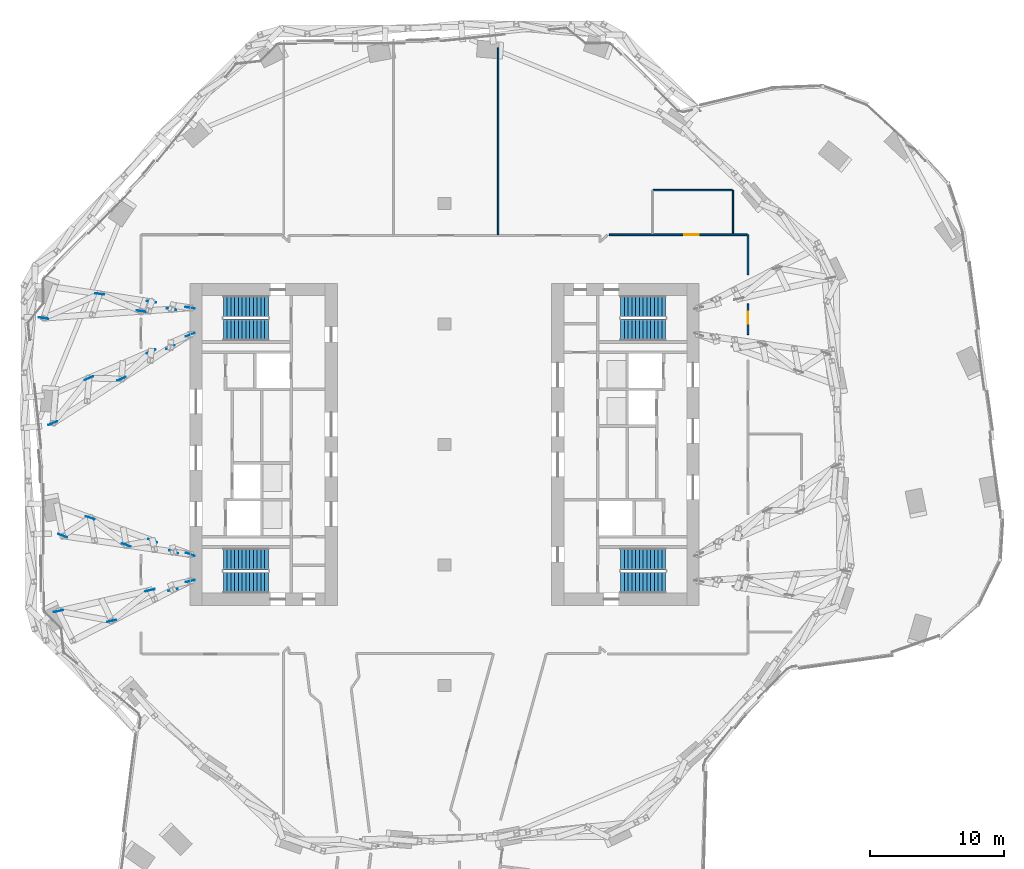
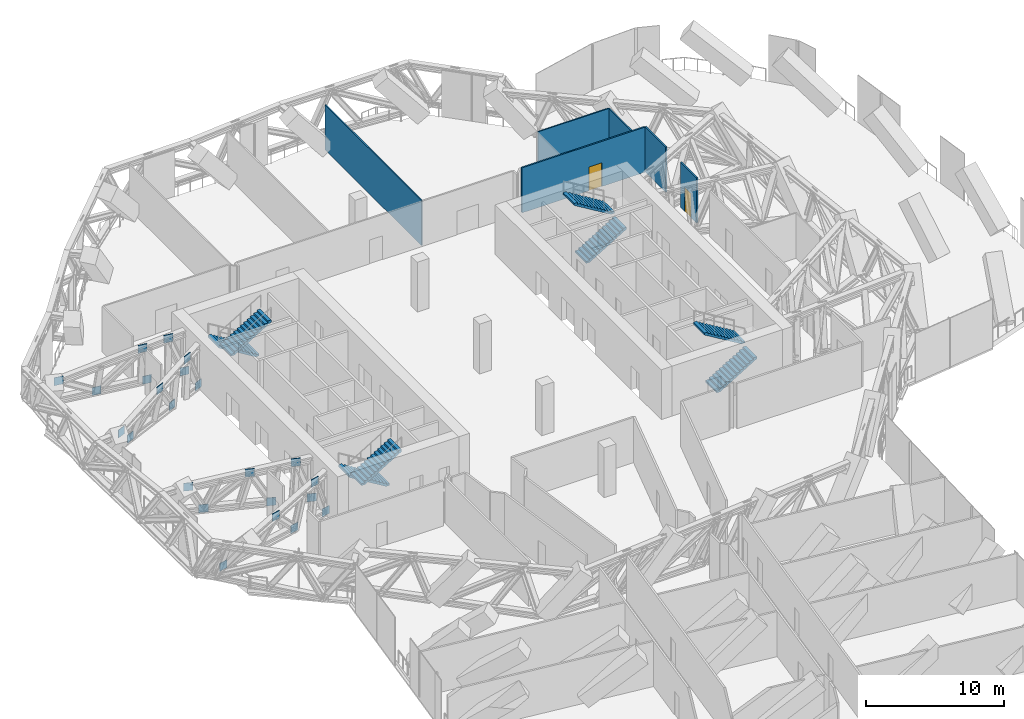
# One storey, part 22 of 27: 8 stair flights, 6 walls, 2 doors, 1 discrete accessory, 2 openings, 4 elements without a shape of their own.
"""IFC4 building model written with IfcOpenShell, lengths in metres."""

from ifc_helpers import new_model, si_unit, direction, frame, frame_2d, origin, origin_2d, place, context, subcontext, project, spatial, polyline, rectangle, outline, extrude, material, layer, layer_set, type_object, element, fill, aggregate, save


model = new_model("IFC4")

# Units and contexts
model_context = context("Model", 3, precision=1e-05, world=origin(), true_north=direction((0.0, 1.0)))
body_context = subcontext(model_context, "Body", "Model", "MODEL_VIEW")
ifc_project = project(units=[si_unit("LENGTHUNIT", "METRE"), si_unit("AREAUNIT", "SQUARE_METRE"), si_unit("VOLUMEUNIT", "CUBIC_METRE"), si_unit("PLANEANGLEUNIT", "RADIAN"), si_unit("MASSUNIT", "GRAM", prefix="KILO")], contexts=[model_context])

# Site, building, storey
site_placement = place(None, origin())
site = spatial("IfcSite", under=ifc_project, at=site_placement, CompositionType="ELEMENT")
building_placement = place(site_placement, origin())
building = spatial("IfcBuilding", under=site, at=building_placement, Name="Orlundy Tower", CompositionType="ELEMENT")
storey_placement = place(building_placement, frame((0.0, 0.0, 206.10009765625)))
storey = spatial("IfcBuildingStorey", under=building, at=storey_placement, Name="L54", CompositionType="ELEMENT", Elevation=206.10009765625)

# Walls
ifc_material_1 = material(Name="Gypsum board partition")
ifc_layer_1 = layer(ifc_material_1, 0.10009765625)
ifc_layer_set_1 = layer_set([ifc_layer_1], Name="Floor partition 100")
wall_type_1 = type_object("IfcWallType", Name="Floor partition 100", PredefinedType="PARTITIONING", material=ifc_layer_set_1)
wall_1_placement = place(storey_placement, frame((15.576904296875, 18.98291015625, 0.0), z_axis=(0.0, 0.0, 1.0), x_axis=(1.0, 0.0, 0.0)))
element("IfcWall", 1, at=wall_1_placement, inside=storey, type_object=wall_type_1, Name="wall-int-L54-033", PredefinedType="PARTITIONING", context=body_context, shape_type="SweptSolid", body=[
    extrude(rectangle(XDim=5.900146484375, YDim=0.10009765625, at=frame_2d((2.9501953125, 0.0))), origin(), (0.0, 0.0, 1.0), 3.97998046875),
])
wall_2_placement = place(storey_placement, frame((21.528076171875, 15.712890625, 0.0), z_axis=(0.0, 0.0, 1.0), x_axis=(0.0, 1.0, 0.0)))
element("IfcWall", 2, at=wall_2_placement, inside=storey, type_object=wall_type_1, Name="wall-int-L54-055", PredefinedType="PARTITIONING", context=body_context, shape_type="SweptSolid", body=[
    extrude(rectangle(XDim=3.26904296875, YDim=0.10009765625, at=frame_2d((1.634521484375, 0.0))), origin(), (0.0, 0.0, 1.0), 3.97998046875),
])
wall_3_placement = place(storey_placement, frame((4.0, 15.6640625, 0.0), z_axis=(0.0, 0.0, 1.0), x_axis=(0.0, 1.0, 0.0)))
element("IfcWall", 3, at=wall_3_placement, inside=storey, type_object=wall_type_1, Name="wall-int-L54-059", PredefinedType="PARTITIONING", context=body_context, shape_type="SweptSolid", body=[
    extrude(rectangle(XDim=13.94384765625, YDim=0.10009765625, at=frame_2d((6.971923828125, 0.0))), origin(), (0.0, 0.0, 1.0), 3.97998046875),
])

# Wall, opening, door
ifc_material_2 = material(Name="Gypsum board partition, double layer")
ifc_layer_2 = layer(ifc_material_2, 0.125)
ifc_layer_set_2 = layer_set([ifc_layer_2], Name="Floor partition 125")
wall_type_2 = type_object("IfcWallType", Name="Floor partition 125", PredefinedType="PARTITIONING", material=ifc_layer_set_2)
wall_4_placement = place(storey_placement, frame((12.31103515625, 15.65087890625, 0.0), z_axis=(0.0, 0.0, 1.0), x_axis=(1.0, 0.0, 0.0)))
wall_4 = element("IfcWall", 4, at=wall_4_placement, inside=storey, type_object=wall_type_2, Name="wall-int-L54-032", PredefinedType="PARTITIONING", context=body_context, shape_type="SweptSolid", body=[
    extrude(rectangle(XDim=10.27587890625, YDim=0.125, at=frame_2d((5.137939453125, 0.0))), origin(), (0.0, 0.0, 1.0), 3.97998046875),
])
opening_1_placement = place(wall_4_placement, frame((5.566162109375, 0.0, 0.0)))
opening_1 = element("IfcOpeningElement", 5, at=opening_1_placement, cuts=wall_4, Name="Opening 41128", PredefinedType="OPENING", context=body_context, shape_type="SweptSolid", body=[
    extrude(rectangle(XDim=1.10009765625, YDim=2.10009765625, at=frame_2d((0.550048828125, 1.050048828125))), frame((0.0, 0.072509765625, 0.0), z_axis=(0.0, -1.0, 0.0), x_axis=(1.0, 0.0, 0.0)), (0.0, 0.0, 1.0), 0.14501953125),
])
ifc_material_3 = material(Name="Timber door leaf", Category="wood")
door_type_1 = type_object("IfcDoorType", Name="Floor door xwide 1100 FD30S", OperationType="NOTDEFINED", PredefinedType="DOOR", material=ifc_material_3)
door_1_placement = place(opening_1_placement, origin())
door_1 = element("IfcDoor", 6, at=door_1_placement, inside=storey, type_object=door_type_1, Name="Door 41128", OperationType="SINGLE_SWING_RIGHT", OverallHeight=2.10009765625, OverallWidth=1.10009765625, PredefinedType="DOOR", context=body_context, shape_type="SweptSolid", body=[
    extrude(rectangle(XDim=1.10009765625, YDim=2.10009765625, at=frame_2d((0.550048828125, 1.050048828125))), frame((0.0, 0.02490234375, 0.0), z_axis=(0.0, -1.0, 0.0), x_axis=(1.0, 0.0, 0.0)), (0.0, 0.0, 1.0), 0.050048828125),
])
fill(opening_1, door_1)

wall_5_placement = place(storey_placement, frame((22.65087890625, 10.493896484375, 0.0), z_axis=(0.0, 0.0, 1.0), x_axis=(0.0, -1.0, 0.0)))
wall_5 = element("IfcWall", 7, at=wall_5_placement, inside=storey, type_object=wall_type_2, Name="wall-int-L54-053", PredefinedType="PARTITIONING", context=body_context, shape_type="SweptSolid", body=[
    extrude(rectangle(XDim=2.296875, YDim=0.125, at=frame_2d((1.1484375, 0.0))), origin(), (0.0, 0.0, 1.0), 3.97998046875),
])
opening_2_placement = place(wall_5_placement, frame((0.60009765625, 0.0, 0.0)))
opening_2 = element("IfcOpeningElement", 8, at=opening_2_placement, cuts=wall_5, Name="Opening 41121", PredefinedType="OPENING", context=body_context, shape_type="SweptSolid", body=[
    extrude(rectangle(XDim=0.89990234375, YDim=2.10009765625, at=frame_2d((0.449951171875, 1.050048828125))), frame((0.0, 0.072509765625, 0.0), z_axis=(0.0, -1.0, 0.0), x_axis=(1.0, 0.0, 0.0)), (0.0, 0.0, 1.0), 0.14501953125),
])
ifc_material_4 = material(Name="Timber door leaf", Category="wood")
door_type_2 = type_object("IfcDoorType", Name="Floor door single 900 FD30S", OperationType="NOTDEFINED", PredefinedType="DOOR", material=ifc_material_4)
door_2_placement = place(opening_2_placement, origin())
door_2 = element("IfcDoor", 9, at=door_2_placement, inside=storey, type_object=door_type_2, Name="Door 41121", OperationType="SINGLE_SWING_LEFT", OverallHeight=2.10009765625, OverallWidth=0.89990234375, PredefinedType="DOOR", context=body_context, shape_type="SweptSolid", body=[
    extrude(rectangle(XDim=0.89990234375, YDim=2.10009765625, at=frame_2d((0.449951171875, 1.050048828125))), frame((0.0, 0.02490234375, 0.0), z_axis=(0.0, -1.0, 0.0), x_axis=(1.0, 0.0, 0.0)), (0.0, 0.0, 1.0), 0.050048828125),
])
fill(opening_2, door_2)

# Wall
wall_6_placement = place(storey_placement, frame((22.65087890625, 12.65087890625, 0.0), z_axis=(0.0, 0.0, 1.0), x_axis=(0.0, 1.0, 0.0)))
element("IfcWall", 10, at=wall_6_placement, inside=storey, type_object=wall_type_2, Name="wall-int-L54-054", PredefinedType="PARTITIONING", context=body_context, shape_type="SweptSolid", body=[
    extrude(rectangle(XDim=2.9990234375, YDim=0.125, at=frame_2d((1.49951171875, 0.0))), origin(), (0.0, 0.0, 1.0), 3.97998046875),
])

# Stair, stair flights
ifc_material_5 = material(Name="Concrete C50/60", Category="concrete")
stair_type = type_object("IfcStairType", Name="Exit Stair 26 risers", PredefinedType="HALF_TURN_STAIR", material=ifc_material_5)
stair_1_placement = place(storey_placement, origin())
stair_1 = element("IfcStair", 11, at=stair_1_placement, inside=storey, type_object=stair_type, Name="L54 Exit Stair ST-W1", PredefinedType="HALF_TURN_STAIR")
ifc_material_6 = material(Name="Concrete C50/60", Category="concrete")
stair_flight_type = type_object("IfcStairFlightType", Name="Stair Flight 13 risers", PredefinedType="STRAIGHT", material=ifc_material_6)
stair_flight_1_placement = place(storey_placement, frame((-13.139892578125, 10.300048828125, 0.0), z_axis=(0.0, 0.0, 1.0), x_axis=(-1.0, 0.0, 0.0)))
stair_flight_1 = element("IfcStairFlight", 12, at=stair_flight_1_placement, type_object=stair_flight_type, Name="ST-W1 flight 1", NumberOfRisers=13, NumberOfTreads=12, PredefinedType="STRAIGHT", RiserHeight=0.169230769, TreadLength=0.28, context=body_context, shape_type="SweptSolid", body=[
    extrude(outline(polyline([(0.0, 0.0), (0.0, 0.169189453125), (0.280029296875, 0.169189453125), (0.280029296875, 0.33837890625), (0.56005859375, 0.33837890625), (0.56005859375, 0.5078125), (0.840087890625, 0.5078125), (0.840087890625, 0.677001953125), (1.1201171875, 0.677001953125), (1.1201171875, 0.84619140625), (1.39990234375, 0.84619140625), (1.39990234375, 1.015380859375), (1.679931640625, 1.015380859375), (1.679931640625, 1.1845703125), (1.9599609375, 1.1845703125), (1.9599609375, 1.353759765625), (2.239990234375, 1.353759765625), (2.239990234375, 1.523193359375), (2.52001953125, 1.523193359375), (2.52001953125, 1.6923828125), (2.800048828125, 1.6923828125), (2.800048828125, 1.861572265625), (3.080078125, 1.861572265625), (3.080078125, 2.03076171875), (3.360107421875, 2.03076171875), (3.360107421875, 2.199951171875), (3.360107421875, 1.855712890625), (0.289794921875, 0.0), (0.0, 0.0)])), frame((0.0, 0.800048828125, 0.0), z_axis=(0.0, -1.0, 0.0), x_axis=(1.0, 0.0, 0.0)), (0.0, 0.0, 1.0), 1.60009765625),
])
stair_flight_2_placement = place(storey_placement, frame((-16.5, 8.550048828125, 2.199951171875), z_axis=(0.0, 0.0, 1.0), x_axis=(1.0, 0.0, 0.0)))
stair_flight_2 = element("IfcStairFlight", 13, at=stair_flight_2_placement, type_object=stair_flight_type, Name="ST-W1 flight 2", NumberOfRisers=13, NumberOfTreads=12, PredefinedType="STRAIGHT", RiserHeight=0.169230769, TreadLength=0.28, context=body_context, shape_type="SweptSolid", body=[
    extrude(outline(polyline([(0.0, 0.0), (0.0, 0.169189453125), (0.280029296875, 0.169189453125), (0.280029296875, 0.33837890625), (0.56005859375, 0.33837890625), (0.56005859375, 0.5078125), (0.840087890625, 0.5078125), (0.840087890625, 0.677001953125), (1.1201171875, 0.677001953125), (1.1201171875, 0.84619140625), (1.39990234375, 0.84619140625), (1.39990234375, 1.015380859375), (1.679931640625, 1.015380859375), (1.679931640625, 1.1845703125), (1.9599609375, 1.1845703125), (1.9599609375, 1.353759765625), (2.239990234375, 1.353759765625), (2.239990234375, 1.523193359375), (2.52001953125, 1.523193359375), (2.52001953125, 1.6923828125), (2.800048828125, 1.6923828125), (2.800048828125, 1.861572265625), (3.080078125, 1.861572265625), (3.080078125, 2.03076171875), (3.360107421875, 2.03076171875), (3.360107421875, 2.199951171875), (3.360107421875, 1.855712890625), (0.289794921875, 0.0), (0.0, 0.0)])), frame((0.0, 0.800048828125, 0.0), z_axis=(0.0, -1.0, 0.0), x_axis=(1.0, 0.0, 0.0)), (0.0, 0.0, 1.0), 1.60009765625),
])
aggregate(stair_1, [stair_flight_1, stair_flight_2])

stair_2_placement = place(storey_placement, origin())
stair_2 = element("IfcStair", 14, at=stair_2_placement, inside=storey, type_object=stair_type, Name="L54 Exit Stair ST-W2", PredefinedType="HALF_TURN_STAIR")
stair_flight_3_placement = place(storey_placement, frame((-13.139892578125, -8.550048828125, 0.0), z_axis=(0.0, 0.0, 1.0), x_axis=(-1.0, 0.0, 0.0)))
stair_flight_3 = element("IfcStairFlight", 15, at=stair_flight_3_placement, type_object=stair_flight_type, Name="ST-W2 flight 1", NumberOfRisers=13, NumberOfTreads=12, PredefinedType="STRAIGHT", RiserHeight=0.169230769, TreadLength=0.28, context=body_context, shape_type="SweptSolid", body=[
    extrude(outline(polyline([(0.0, 0.0), (0.0, 0.169189453125), (0.280029296875, 0.169189453125), (0.280029296875, 0.33837890625), (0.56005859375, 0.33837890625), (0.56005859375, 0.5078125), (0.840087890625, 0.5078125), (0.840087890625, 0.677001953125), (1.1201171875, 0.677001953125), (1.1201171875, 0.84619140625), (1.39990234375, 0.84619140625), (1.39990234375, 1.015380859375), (1.679931640625, 1.015380859375), (1.679931640625, 1.1845703125), (1.9599609375, 1.1845703125), (1.9599609375, 1.353759765625), (2.239990234375, 1.353759765625), (2.239990234375, 1.523193359375), (2.52001953125, 1.523193359375), (2.52001953125, 1.6923828125), (2.800048828125, 1.6923828125), (2.800048828125, 1.861572265625), (3.080078125, 1.861572265625), (3.080078125, 2.03076171875), (3.360107421875, 2.03076171875), (3.360107421875, 2.199951171875), (3.360107421875, 1.855712890625), (0.289794921875, 0.0), (0.0, 0.0)])), frame((0.0, 0.800048828125, 0.0), z_axis=(0.0, -1.0, 0.0), x_axis=(1.0, 0.0, 0.0)), (0.0, 0.0, 1.0), 1.60009765625),
])
stair_flight_4_placement = place(storey_placement, frame((-16.5, -10.300048828125, 2.199951171875), z_axis=(0.0, 0.0, 1.0), x_axis=(1.0, 0.0, 0.0)))
stair_flight_4 = element("IfcStairFlight", 16, at=stair_flight_4_placement, type_object=stair_flight_type, Name="ST-W2 flight 2", NumberOfRisers=13, NumberOfTreads=12, PredefinedType="STRAIGHT", RiserHeight=0.169230769, TreadLength=0.28, context=body_context, shape_type="SweptSolid", body=[
    extrude(outline(polyline([(0.0, 0.0), (0.0, 0.169189453125), (0.280029296875, 0.169189453125), (0.280029296875, 0.33837890625), (0.56005859375, 0.33837890625), (0.56005859375, 0.5078125), (0.840087890625, 0.5078125), (0.840087890625, 0.677001953125), (1.1201171875, 0.677001953125), (1.1201171875, 0.84619140625), (1.39990234375, 0.84619140625), (1.39990234375, 1.015380859375), (1.679931640625, 1.015380859375), (1.679931640625, 1.1845703125), (1.9599609375, 1.1845703125), (1.9599609375, 1.353759765625), (2.239990234375, 1.353759765625), (2.239990234375, 1.523193359375), (2.52001953125, 1.523193359375), (2.52001953125, 1.6923828125), (2.800048828125, 1.6923828125), (2.800048828125, 1.861572265625), (3.080078125, 1.861572265625), (3.080078125, 2.03076171875), (3.360107421875, 2.03076171875), (3.360107421875, 2.199951171875), (3.360107421875, 1.855712890625), (0.289794921875, 0.0), (0.0, 0.0)])), frame((0.0, 0.800048828125, 0.0), z_axis=(0.0, -1.0, 0.0), x_axis=(1.0, 0.0, 0.0)), (0.0, 0.0, 1.0), 1.60009765625),
])
aggregate(stair_2, [stair_flight_3, stair_flight_4])

stair_3_placement = place(storey_placement, origin())
stair_3 = element("IfcStair", 17, at=stair_3_placement, inside=storey, type_object=stair_type, Name="L54 Exit Stair ST-E1", PredefinedType="HALF_TURN_STAIR")
stair_flight_5_placement = place(storey_placement, frame((13.139892578125, -10.300048828125, 0.0), z_axis=(0.0, 0.0, 1.0), x_axis=(1.0, 0.0, 0.0)))
stair_flight_5 = element("IfcStairFlight", 18, at=stair_flight_5_placement, type_object=stair_flight_type, Name="ST-E1 flight 1", NumberOfRisers=13, NumberOfTreads=12, PredefinedType="STRAIGHT", RiserHeight=0.169230769, TreadLength=0.28, context=body_context, shape_type="SweptSolid", body=[
    extrude(outline(polyline([(0.0, 0.0), (0.0, 0.169189453125), (0.280029296875, 0.169189453125), (0.280029296875, 0.33837890625), (0.56005859375, 0.33837890625), (0.56005859375, 0.5078125), (0.840087890625, 0.5078125), (0.840087890625, 0.677001953125), (1.1201171875, 0.677001953125), (1.1201171875, 0.84619140625), (1.39990234375, 0.84619140625), (1.39990234375, 1.015380859375), (1.679931640625, 1.015380859375), (1.679931640625, 1.1845703125), (1.9599609375, 1.1845703125), (1.9599609375, 1.353759765625), (2.239990234375, 1.353759765625), (2.239990234375, 1.523193359375), (2.52001953125, 1.523193359375), (2.52001953125, 1.6923828125), (2.800048828125, 1.6923828125), (2.800048828125, 1.861572265625), (3.080078125, 1.861572265625), (3.080078125, 2.03076171875), (3.360107421875, 2.03076171875), (3.360107421875, 2.199951171875), (3.360107421875, 1.855712890625), (0.289794921875, 0.0), (0.0, 0.0)])), frame((0.0, 0.800048828125, 0.0), z_axis=(0.0, -1.0, 0.0), x_axis=(1.0, 0.0, 0.0)), (0.0, 0.0, 1.0), 1.60009765625),
])
stair_flight_6_placement = place(storey_placement, frame((16.5, -8.550048828125, 2.199951171875), z_axis=(0.0, 0.0, 1.0), x_axis=(-1.0, 0.0, 0.0)))
stair_flight_6 = element("IfcStairFlight", 19, at=stair_flight_6_placement, type_object=stair_flight_type, Name="ST-E1 flight 2", NumberOfRisers=13, NumberOfTreads=12, PredefinedType="STRAIGHT", RiserHeight=0.169230769, TreadLength=0.28, context=body_context, shape_type="SweptSolid", body=[
    extrude(outline(polyline([(0.0, 0.0), (0.0, 0.169189453125), (0.280029296875, 0.169189453125), (0.280029296875, 0.33837890625), (0.56005859375, 0.33837890625), (0.56005859375, 0.5078125), (0.840087890625, 0.5078125), (0.840087890625, 0.677001953125), (1.1201171875, 0.677001953125), (1.1201171875, 0.84619140625), (1.39990234375, 0.84619140625), (1.39990234375, 1.015380859375), (1.679931640625, 1.015380859375), (1.679931640625, 1.1845703125), (1.9599609375, 1.1845703125), (1.9599609375, 1.353759765625), (2.239990234375, 1.353759765625), (2.239990234375, 1.523193359375), (2.52001953125, 1.523193359375), (2.52001953125, 1.6923828125), (2.800048828125, 1.6923828125), (2.800048828125, 1.861572265625), (3.080078125, 1.861572265625), (3.080078125, 2.03076171875), (3.360107421875, 2.03076171875), (3.360107421875, 2.199951171875), (3.360107421875, 1.855712890625), (0.289794921875, 0.0), (0.0, 0.0)])), frame((0.0, 0.800048828125, 0.0), z_axis=(0.0, -1.0, 0.0), x_axis=(1.0, 0.0, 0.0)), (0.0, 0.0, 1.0), 1.60009765625),
])
aggregate(stair_3, [stair_flight_5, stair_flight_6])

stair_4_placement = place(storey_placement, origin())
stair_4 = element("IfcStair", 20, at=stair_4_placement, inside=storey, type_object=stair_type, Name="L54 Exit Stair ST-E2", PredefinedType="HALF_TURN_STAIR")
stair_flight_7_placement = place(storey_placement, frame((13.139892578125, 8.550048828125, 0.0), z_axis=(0.0, 0.0, 1.0), x_axis=(1.0, 0.0, 0.0)))
stair_flight_7 = element("IfcStairFlight", 21, at=stair_flight_7_placement, type_object=stair_flight_type, Name="ST-E2 flight 1", NumberOfRisers=13, NumberOfTreads=12, PredefinedType="STRAIGHT", RiserHeight=0.169230769, TreadLength=0.28, context=body_context, shape_type="SweptSolid", body=[
    extrude(outline(polyline([(0.0, 0.0), (0.0, 0.169189453125), (0.280029296875, 0.169189453125), (0.280029296875, 0.33837890625), (0.56005859375, 0.33837890625), (0.56005859375, 0.5078125), (0.840087890625, 0.5078125), (0.840087890625, 0.677001953125), (1.1201171875, 0.677001953125), (1.1201171875, 0.84619140625), (1.39990234375, 0.84619140625), (1.39990234375, 1.015380859375), (1.679931640625, 1.015380859375), (1.679931640625, 1.1845703125), (1.9599609375, 1.1845703125), (1.9599609375, 1.353759765625), (2.239990234375, 1.353759765625), (2.239990234375, 1.523193359375), (2.52001953125, 1.523193359375), (2.52001953125, 1.6923828125), (2.800048828125, 1.6923828125), (2.800048828125, 1.861572265625), (3.080078125, 1.861572265625), (3.080078125, 2.03076171875), (3.360107421875, 2.03076171875), (3.360107421875, 2.199951171875), (3.360107421875, 1.855712890625), (0.289794921875, 0.0), (0.0, 0.0)])), frame((0.0, 0.800048828125, 0.0), z_axis=(0.0, -1.0, 0.0), x_axis=(1.0, 0.0, 0.0)), (0.0, 0.0, 1.0), 1.60009765625),
])
stair_flight_8_placement = place(storey_placement, frame((16.5, 10.300048828125, 2.199951171875), z_axis=(0.0, 0.0, 1.0), x_axis=(-1.0, 0.0, 0.0)))
stair_flight_8 = element("IfcStairFlight", 22, at=stair_flight_8_placement, type_object=stair_flight_type, Name="ST-E2 flight 2", NumberOfRisers=13, NumberOfTreads=12, PredefinedType="STRAIGHT", RiserHeight=0.169230769, TreadLength=0.28, context=body_context, shape_type="SweptSolid", body=[
    extrude(outline(polyline([(0.0, 0.0), (0.0, 0.169189453125), (0.280029296875, 0.169189453125), (0.280029296875, 0.33837890625), (0.56005859375, 0.33837890625), (0.56005859375, 0.5078125), (0.840087890625, 0.5078125), (0.840087890625, 0.677001953125), (1.1201171875, 0.677001953125), (1.1201171875, 0.84619140625), (1.39990234375, 0.84619140625), (1.39990234375, 1.015380859375), (1.679931640625, 1.015380859375), (1.679931640625, 1.1845703125), (1.9599609375, 1.1845703125), (1.9599609375, 1.353759765625), (2.239990234375, 1.353759765625), (2.239990234375, 1.523193359375), (2.52001953125, 1.523193359375), (2.52001953125, 1.6923828125), (2.800048828125, 1.6923828125), (2.800048828125, 1.861572265625), (3.080078125, 1.861572265625), (3.080078125, 2.03076171875), (3.360107421875, 2.03076171875), (3.360107421875, 2.199951171875), (3.360107421875, 1.855712890625), (0.289794921875, 0.0), (0.0, 0.0)])), frame((0.0, 0.800048828125, 0.0), z_axis=(0.0, -1.0, 0.0), x_axis=(1.0, 0.0, 0.0)), (0.0, 0.0, 1.0), 1.60009765625),
])
aggregate(stair_4, [stair_flight_7, stair_flight_8])

# Discrete accessory
ifc_material_7 = material(Name="Steel ASTM A572 Gr 50", Category="steel")
ifc_layer_3 = layer(ifc_material_7, 0.0400390625)
ifc_layer_set_3 = layer_set([ifc_layer_3], Name="CONNECTION PLATES")
discrete_accessory_type = type_object("IfcDiscreteAccessoryType", Name="CONNECTION PLATES", PredefinedType="ANCHORPLATE", material=ifc_layer_set_3)
discrete_accessory_placement = place(storey_placement, frame((0.0, 0.0, -206.10009765625)))
element("IfcDiscreteAccessory", 23, at=discrete_accessory_placement, inside=storey, type_object=discrete_accessory_type, Name="Connection plates OUTRIG-L54-W", PredefinedType="ANCHORPLATE", context=body_context, shape_type="SweptSolid", body=[
    extrude(rectangle(XDim=0.699951171875, YDim=0.0400390625, at=origin_2d()), frame((-18.97998046875, -10.199951171875, 206.03466796875), z_axis=(0.0, 0.0, 1.0), x_axis=(-0.975122279773, -0.221667632934, 0.0)), (0.0, 0.0, 1.0), 0.699951171875),
    extrude(rectangle(XDim=0.699951171875, YDim=0.0400390625, at=origin_2d()), frame((-20.25341796875, -10.845458984375, 209.46533203125), z_axis=(0.0, 0.0, 1.0), x_axis=(-0.975122279773, -0.221667632934, 0.0)), (0.0, 0.0, 1.0), 0.699951171875),
    extrude(rectangle(XDim=0.699951171875, YDim=0.0400390625, at=origin_2d()), frame((-21.9677734375, -10.879150390625, 206.03466796875), z_axis=(0.0, 0.0, 1.0), x_axis=(-0.975122279773, -0.221667632934, 0.0)), (0.0, 0.0, 1.0), 0.699951171875),
    extrude(rectangle(XDim=0.699951171875, YDim=0.0400390625, at=origin_2d()), frame((-24.82763671875, -13.163818359375, 209.46533203125), z_axis=(0.0, 0.0, 1.0), x_axis=(-0.975122279773, -0.221667632934, 0.0)), (0.0, 0.0, 1.0), 0.699951171875),
    extrude(rectangle(XDim=0.699951171875, YDim=0.0400390625, at=origin_2d()), frame((-28.814208984375, -12.435546875, 206.03466796875), z_axis=(0.0, 0.0, 1.0), x_axis=(-0.975122279773, -0.221667632934, 0.0)), (0.0, 0.0, 1.0), 0.699951171875),
    extrude(rectangle(XDim=0.699951171875, YDim=0.0400390625, at=origin_2d()), frame((-18.97998046875, -8.199951171875, 206.03466796875), z_axis=(0.0, 0.0, 1.0), x_axis=(-0.939315982016, 0.343053182364, 0.0)), (0.0, 0.0, 1.0), 0.699951171875),
    extrude(rectangle(XDim=0.699951171875, YDim=0.0400390625, at=origin_2d()), frame((-20.211181640625, -8.020263671875, 209.46533203125), z_axis=(0.0, 0.0, 1.0), x_axis=(-0.939315982016, 0.343053182364, 0.0)), (0.0, 0.0, 1.0), 0.699951171875),
    extrude(rectangle(XDim=0.699951171875, YDim=0.0400390625, at=origin_2d()), frame((-21.770751953125, -7.180908203125, 206.03466796875), z_axis=(0.0, 0.0, 1.0), x_axis=(-0.939315982016, 0.343053182364, 0.0)), (0.0, 0.0, 1.0), 0.699951171875),
    extrude(rectangle(XDim=0.699951171875, YDim=0.0400390625, at=origin_2d()), frame((-23.735595703125, -7.505859375, 209.46533203125), z_axis=(0.0, 0.0, 1.0), x_axis=(-0.939315982016, 0.343053182364, 0.0)), (0.0, 0.0, 1.0), 0.699951171875),
    extrude(rectangle(XDim=0.699951171875, YDim=0.0400390625, at=origin_2d()), frame((-26.441650390625, -5.474853515625, 206.03466796875), z_axis=(0.0, 0.0, 1.0), x_axis=(-0.939315982016, 0.343053182364, 0.0)), (0.0, 0.0, 1.0), 0.699951171875),
    extrude(rectangle(XDim=0.699951171875, YDim=0.0400390625, at=origin_2d()), frame((-28.491455078125, -6.81201171875, 209.46533203125), z_axis=(0.0, 0.0, 1.0), x_axis=(-0.939315982016, 0.343053182364, 0.0)), (0.0, 0.0, 1.0), 0.699951171875),
    extrude(rectangle(XDim=0.699951171875, YDim=0.0400390625, at=origin_2d()), frame((-18.97998046875, 8.199951171875, 206.03466796875), z_axis=(0.0, 0.0, 1.0), x_axis=(-0.918543003923, -0.39532107197, 0.0)), (0.0, 0.0, 1.0), 0.699951171875),
    extrude(rectangle(XDim=0.699951171875, YDim=0.0400390625, at=origin_2d()), frame((-20.448974609375, 7.25244140625, 209.46533203125), z_axis=(0.0, 0.0, 1.0), x_axis=(-0.918543003923, -0.39532107197, 0.0)), (0.0, 0.0, 1.0), 0.699951171875),
    extrude(rectangle(XDim=0.699951171875, YDim=0.0400390625, at=origin_2d()), frame((-21.891845703125, 6.94677734375, 206.03466796875), z_axis=(0.0, 0.0, 1.0), x_axis=(-0.918543003923, -0.39532107197, 0.0)), (0.0, 0.0, 1.0), 0.699951171875),
    extrude(rectangle(XDim=0.699951171875, YDim=0.0400390625, at=origin_2d()), frame((-24.101806640625, 4.89599609375, 209.46533203125), z_axis=(0.0, 0.0, 1.0), x_axis=(-0.918543003923, -0.39532107197, 0.0)), (0.0, 0.0, 1.0), 0.699951171875),
    extrude(rectangle(XDim=0.699951171875, YDim=0.0400390625, at=origin_2d()), frame((-26.5224609375, 4.953857421875, 206.03466796875), z_axis=(0.0, 0.0, 1.0), x_axis=(-0.918543003923, -0.39532107197, 0.0)), (0.0, 0.0, 1.0), 0.699951171875),
    extrude(rectangle(XDim=0.699951171875, YDim=0.0400390625, at=origin_2d()), frame((-29.223876953125, 1.592041015625, 209.46533203125), z_axis=(0.0, 0.0, 1.0), x_axis=(-0.918543003923, -0.39532107197, 0.0)), (0.0, 0.0, 1.0), 0.699951171875),
    extrude(rectangle(XDim=0.699951171875, YDim=0.0400390625, at=origin_2d()), frame((-18.97998046875, 10.199951171875, 206.03466796875), z_axis=(0.0, 0.0, 1.0), x_axis=(-0.988501805452, 0.151209062621, 0.0)), (0.0, 0.0, 1.0), 0.699951171875),
    extrude(rectangle(XDim=0.699951171875, YDim=0.0400390625, at=origin_2d()), frame((-20.377685546875, 10.10205078125, 209.46533203125), z_axis=(0.0, 0.0, 1.0), x_axis=(-0.988501805452, 0.151209062621, 0.0)), (0.0, 0.0, 1.0), 0.699951171875),
    extrude(rectangle(XDim=0.699951171875, YDim=0.0400390625, at=origin_2d()), frame((-21.855712890625, 10.639892578125, 206.03466796875), z_axis=(0.0, 0.0, 1.0), x_axis=(-0.988501805452, 0.151209062621, 0.0)), (0.0, 0.0, 1.0), 0.699951171875),
    extrude(rectangle(XDim=0.699951171875, YDim=0.0400390625, at=origin_2d()), frame((-22.625732421875, 9.944580078125, 209.46533203125), z_axis=(0.0, 0.0, 1.0), x_axis=(-0.988501805452, 0.151209062621, 0.0)), (0.0, 0.0, 1.0), 0.699951171875),
    extrude(rectangle(XDim=0.699951171875, YDim=0.0400390625, at=origin_2d()), frame((-25.72998046875, 11.232421875, 206.03466796875), z_axis=(0.0, 0.0, 1.0), x_axis=(-0.988501805452, 0.151209062621, 0.0)), (0.0, 0.0, 1.0), 0.699951171875),
    extrude(rectangle(XDim=0.699951171875, YDim=0.0400390625, at=origin_2d()), frame((-29.91748046875, 9.433837890625, 209.46533203125), z_axis=(0.0, 0.0, 1.0), x_axis=(-0.988501805452, 0.151209062621, 0.0)), (0.0, 0.0, 1.0), 0.699951171875),
])

save(model, "model.ifc")
